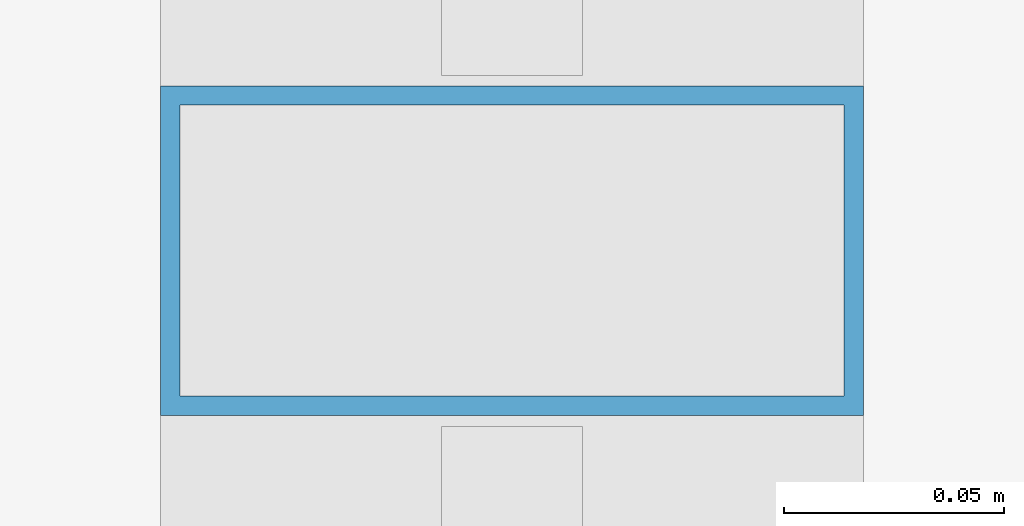
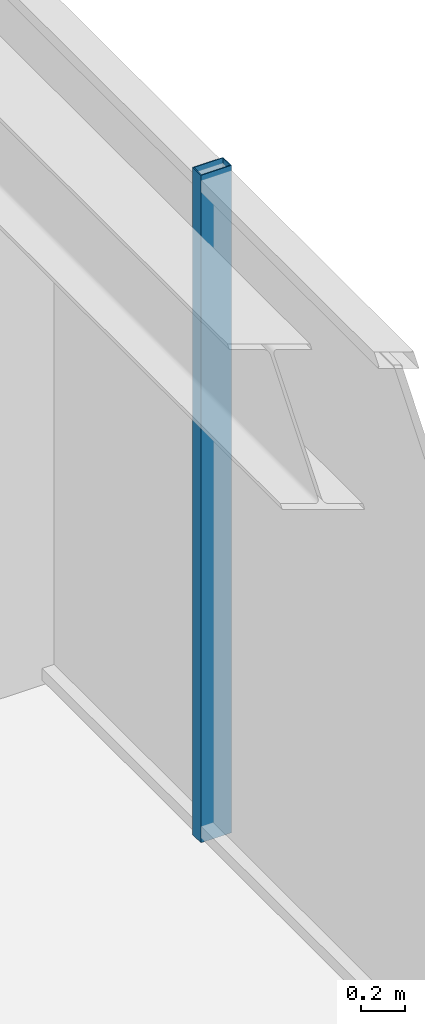
# One storey, part 17 of 39: 1 member, 1 element without a shape of its own.
"""IFC4 building model written with IfcOpenShell, lengths in metres."""

from ifc_helpers import new_model, si_unit, direction, frame, origin, origin_2d, place, context, subcontext, project, spatial, hollow_rectangle, extrude, material, material_profile, profile_set, type_object, element, aggregate, save


model = new_model("IFC4")

# Units and contexts
model_context = context("Model", 3, precision=1e-05, world=origin(), true_north=direction((0.0, 1.0)))
body_context = subcontext(model_context, "Body", "Model", "MODEL_VIEW")
ifc_project = project(units=[si_unit("LENGTHUNIT", "METRE"), si_unit("AREAUNIT", "SQUARE_METRE"), si_unit("VOLUMEUNIT", "CUBIC_METRE"), si_unit("PLANEANGLEUNIT", "RADIAN"), si_unit("MASSUNIT", "GRAM", prefix="KILO")], contexts=[model_context])

# Site, building, storey
site_placement = place(None, origin())
site = spatial("IfcSite", under=ifc_project, at=site_placement, CompositionType="ELEMENT")
building_placement = place(site_placement, origin())
building = spatial("IfcBuilding", under=site, at=building_placement, Name="Kolvaren Belvedere", CompositionType="ELEMENT")
storey_placement = place(building_placement, frame((0.0, 0.0, 15.199951171875)))
storey = spatial("IfcBuildingStorey", under=building, at=storey_placement, Name="L04", CompositionType="ELEMENT", Elevation=15.199951171875)

# Curtain wall, member
ifc_material_1 = material(Name="Anodised pale-metal aluminium AA 6063-T6", Category="aluminium")
curtain_wall_type = type_object("IfcCurtainWallType", Name="CW-POD-A", PredefinedType="NOTDEFINED", material=ifc_material_1)
curtain_wall_placement = place(storey_placement, origin())
curtain_wall = element("IfcCurtainWall", 1, at=curtain_wall_placement, inside=storey, type_object=curtain_wall_type, Name="L04 Unitised Curtain Wall FCW-L04-E", PredefinedType="NOTDEFINED")
ifc_material_2 = material(Name="Anodised pale-metal aluminium AA 6063-T6", Category="aluminium")
ifc_material_profile = material_profile(ifc_material_2, hollow_rectangle(XDim=0.074951171875, YDim=0.159912109375, WallThickness=0.00439453125, at=origin_2d()), Name="ALU-MUL-160X75")
ifc_profile_set = profile_set([ifc_material_profile], Name="Anodised pale-metal aluminium AA 6063-T6")
member_type = type_object("IfcMemberType", Name="CW-MUL-160", PredefinedType="MULLION", material=ifc_profile_set)
member_placement = place(storey_placement, frame((27.8798828125, -14.199951171875, 0.0), z_axis=(0.0, 0.0, 1.0), x_axis=(0.0, 1.0, 0.0)))
member = element("IfcMember", 2, at=member_placement, type_object=member_type, Name="FCW-L04-E Unitised Mullion 4", PredefinedType="MULLION", context=body_context, shape_type="SweptSolid", body=[
    extrude(hollow_rectangle(XDim=0.074951171875, YDim=0.159912109375, WallThickness=0.00439453125, at=origin_2d()), origin(), (0.0, 0.0, 1.0), 3.699951171875),
])
aggregate(curtain_wall, [member])

save(model, "model.ifc")
